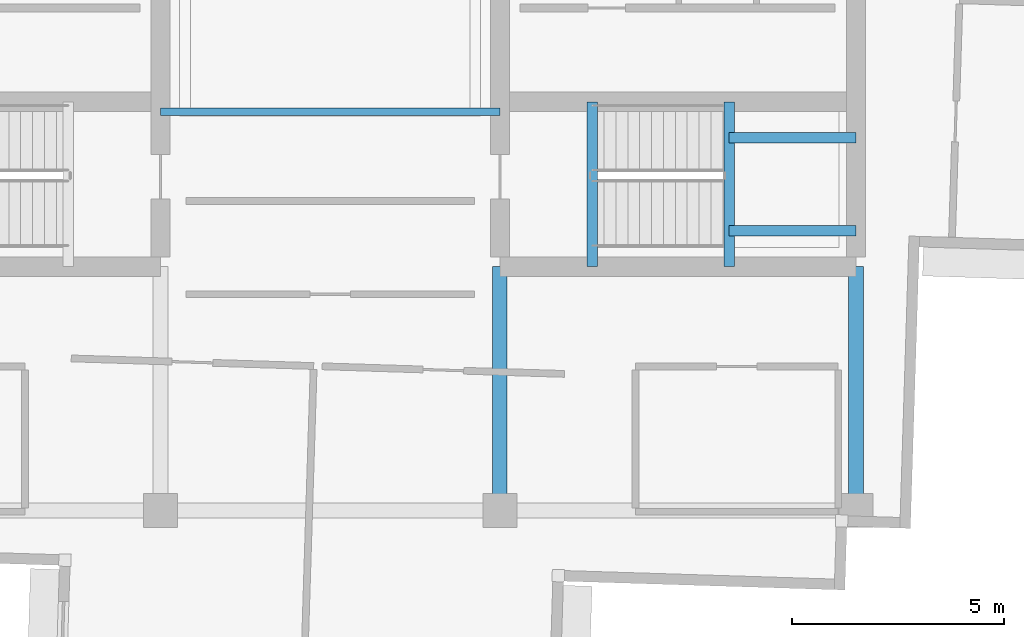
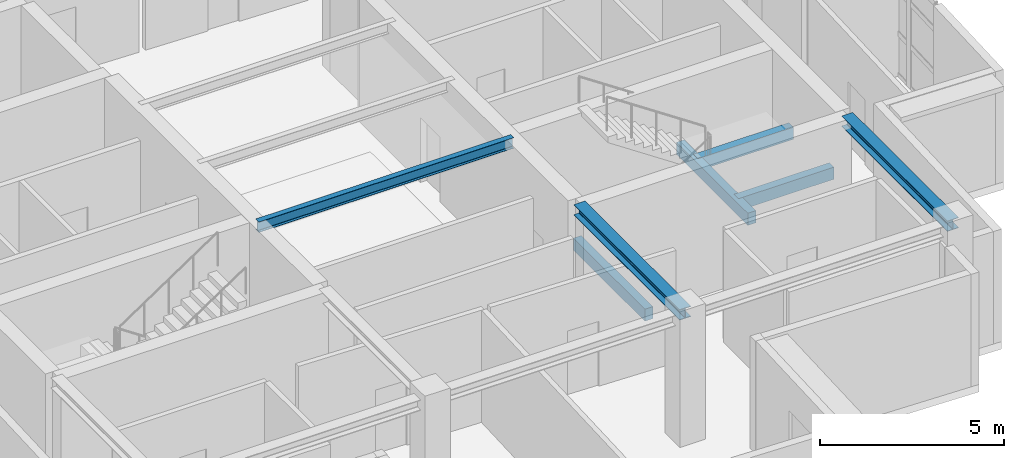
# One storey, part 4 of 14: 7 beams.
"""IFC4 building model written with IfcOpenShell, lengths in metres."""

from ifc_helpers import new_model, si_unit, direction, frame, origin, origin_2d, place, context, subcontext, project, spatial, rectangle, i_section, extrude, material, material_profile, profile_set, type_object, element, save


model = new_model("IFC4")

# Units and contexts
model_context = context("Model", 3, precision=1e-05, world=origin(), true_north=direction((0.0, 1.0)))
body_context = subcontext(model_context, "Body", "Model", "MODEL_VIEW")
ifc_project = project(units=[si_unit("LENGTHUNIT", "METRE"), si_unit("AREAUNIT", "SQUARE_METRE"), si_unit("VOLUMEUNIT", "CUBIC_METRE"), si_unit("PLANEANGLEUNIT", "RADIAN"), si_unit("MASSUNIT", "GRAM", prefix="KILO")], contexts=[model_context])

# Site, building, storey
site_placement = place(None, origin())
site = spatial("IfcSite", under=ifc_project, at=site_placement, CompositionType="ELEMENT")
building_placement = place(site_placement, origin())
building = spatial("IfcBuilding", under=site, at=building_placement, Name="Qingluan Cross Belvedere", CompositionType="ELEMENT")
storey_placement = place(building_placement, frame((0.0, 0.0, 317.39990234375)))
storey = spatial("IfcBuildingStorey", under=building, at=storey_placement, Name="L78", CompositionType="ELEMENT", Elevation=317.39990234375)

# Beams
ifc_material_1 = material(Name="Concrete C45", Category="concrete")
ifc_material_profile_1 = material_profile(ifc_material_1, rectangle(XDim=0.25, YDim=0.39990234375, at=origin_2d()), Name="RC250x400")
ifc_profile_set_1 = profile_set([ifc_material_profile_1], Name="Concrete C45")
beam_type_1 = type_object("IfcBeamType", Name="RC_Lintel_RC250x400", PredefinedType="LINTEL", material=ifc_profile_set_1)
for number, where, z_axis, x_axis, name in (
    (1, (6.179931640625, -6.85009765625, -0.199951171875), (0.0, 1.0, 0.0), (-1.0, 0.0, 0.0), "Stair ST2 landing beam L78"),
    (2, (9.409912109375, -6.85009765625, 1.85009765625), (0.0, 1.0, 0.0), (-1.0, 0.0, 0.0), "Stair ST2 beam A L78"),
):
    element("IfcBeam", number, at=place(storey_placement, frame(where, z_axis=z_axis, x_axis=x_axis)), inside=storey, type_object=beam_type_1, Name=name, PredefinedType="LINTEL", context=body_context, shape_type="SweptSolid", body=[
        extrude(rectangle(XDim=0.25, YDim=0.39990234375, at=origin_2d()), origin(), (0.0, 0.0, 1.0), 3.89013671875),
    ])
for number, where, z_axis, x_axis, name in (
    (3, (12.39990234375, -6.0, 1.85009765625), (-1.0, 0.0, 0.0), (0.0, -1.0, 0.0), "Stair ST2 beam B L78"),
    (4, (12.39990234375, -3.81005859375, 1.85009765625), (-1.0, 0.0, 0.0), (0.0, -1.0, 0.0), "Stair ST2 beam C L78"),
):
    element("IfcBeam", number, at=place(storey_placement, frame(where, z_axis=z_axis, x_axis=x_axis)), inside=storey, type_object=beam_type_1, Name=name, PredefinedType="LINTEL", context=body_context, shape_type="SweptSolid", body=[
        extrude(rectangle(XDim=0.25, YDim=0.39990234375, at=origin_2d()), origin(), (0.0, 0.0, 1.0), 2.989990234375),
    ])
ifc_material_2 = material(Name="Steel Q420GJB", Category="steel")
ifc_material_profile_2 = material_profile(ifc_material_2, i_section(OverallWidth=0.175048828125, OverallDepth=0.35009765625, WebThickness=0.007080078125, FlangeThickness=0.010986328125, FilletRadius=0.012939453125, at=origin_2d()), Name="HN350x175x7x11")
ifc_profile_set_2 = profile_set([ifc_material_profile_2], Name="Steel Q420GJB")
beam_type_2 = type_object("IfcBeamType", Name="Steel_Beam_HN350x175x7x11", PredefinedType="JOIST", material=ifc_profile_set_2)
beam_placement = place(storey_placement, frame((-4.0, -3.199951171875, 4.0751953125), z_axis=(1.0, 0.0, 0.0), x_axis=(0.0, 1.0, 0.0)))
element("IfcBeam", 5, at=beam_placement, inside=storey, type_object=beam_type_2, Name="Hall beam L78-CH1", PredefinedType="JOIST", context=body_context, shape_type="SweptSolid", body=[
    extrude(i_section(OverallWidth=0.175048828125, OverallDepth=0.35009765625, WebThickness=0.007080078125, FlangeThickness=0.010986328125, FilletRadius=0.012939453125, at=origin_2d()), origin(), (0.0, 0.0, 1.0), 8.0),
])
ifc_material_3 = material(Name="Steel Q420GJB", Category="steel")
ifc_material_profile_3 = material_profile(ifc_material_3, i_section(OverallWidth=0.35009765625, OverallDepth=0.35009765625, WebThickness=0.011962890625, FlangeThickness=0.01904296875, FilletRadius=0.02001953125, at=origin_2d()), Name="HW350x350x12x19")
ifc_profile_set_3 = profile_set([ifc_material_profile_3], Name="Steel Q420GJB")
beam_type_3 = type_object("IfcBeamType", Name="Steel_Girder_HW350x350x12x19", PredefinedType="USERDEFINED", material=ifc_profile_set_3)
for number, where, z_axis, x_axis, name in (
    (6, (12.39990234375, -12.60009765625, 4.0751953125), (0.0, 1.0, 0.0), (-1.0, 0.0, 0.0), "Hub girder L78-HG-E1"),
    (7, (4.0, -12.60009765625, 4.0751953125), (0.0, 1.0, 0.0), (-1.0, 0.0, 0.0), "Hub girder L78-HG-CE"),
):
    element("IfcBeam", number, at=place(storey_placement, frame(where, z_axis=z_axis, x_axis=x_axis)), inside=storey, type_object=beam_type_3, Name=name, ObjectType="GIRDER", PredefinedType="USERDEFINED", context=body_context, shape_type="SweptSolid", body=[
        extrude(i_section(OverallWidth=0.35009765625, OverallDepth=0.35009765625, WebThickness=0.011962890625, FlangeThickness=0.01904296875, FilletRadius=0.02001953125, at=origin_2d()), origin(), (0.0, 0.0, 1.0), 5.75),
    ])

save(model, "model.ifc")
